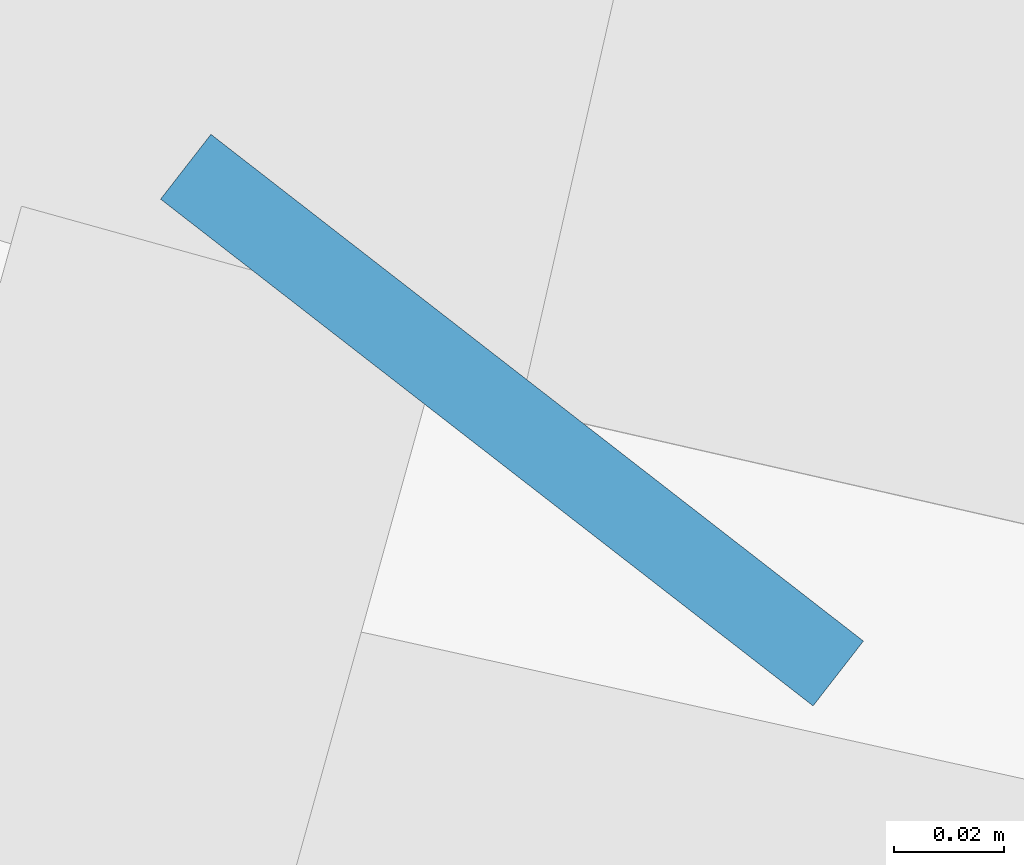
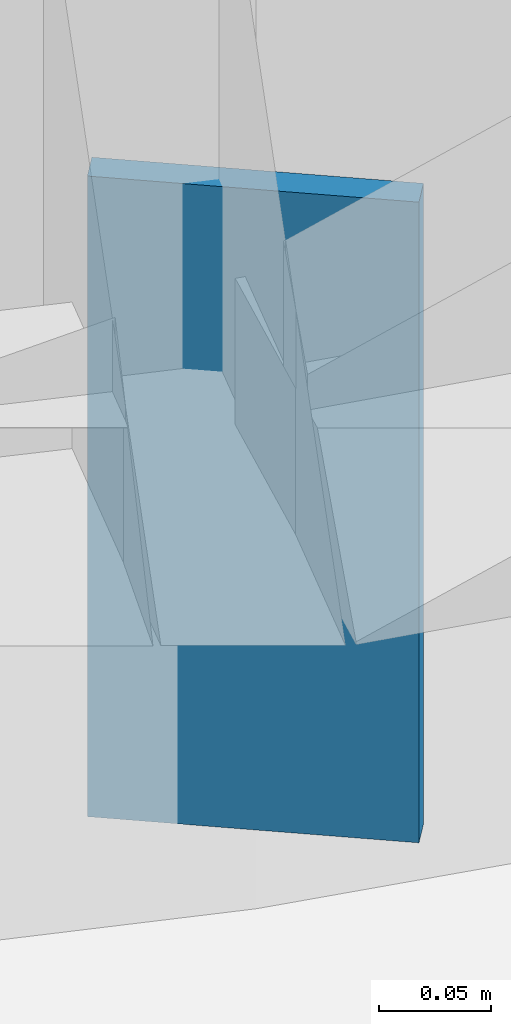
# One storey, part 18 of 29: 1 discrete accessory.
"""IFC4 building model written with IfcOpenShell, lengths in metres."""

from ifc_helpers import new_model, si_unit, direction, frame, origin, origin_2d, place, context, subcontext, project, spatial, rectangle, extrude, material, type_object, element, save


model = new_model("IFC4")

# Units and contexts
model_context = context("Model", 3, precision=1e-05, world=origin(), true_north=direction((0.0, 1.0)))
body_context = subcontext(model_context, "Body", "Model", "MODEL_VIEW")
ifc_project = project(units=[si_unit("LENGTHUNIT", "METRE"), si_unit("AREAUNIT", "SQUARE_METRE"), si_unit("VOLUMEUNIT", "CUBIC_METRE"), si_unit("PLANEANGLEUNIT", "RADIAN"), si_unit("MASSUNIT", "GRAM", prefix="KILO")], contexts=[model_context])

# Site, building, storey
site_placement = place(None, origin())
site = spatial("IfcSite", under=ifc_project, at=site_placement, CompositionType="ELEMENT")
building_placement = place(site_placement, origin())
building = spatial("IfcBuilding", under=site, at=building_placement, Name="Ghaith Harvest Tower", CompositionType="ELEMENT")
storey_placement = place(building_placement, origin())
storey = spatial("IfcBuildingStorey", under=building, at=storey_placement, Name="L00", CompositionType="ELEMENT", Elevation=0.0)

# Discrete accessory
ifc_material = material(Name="Stainless steel grade 1.4401", Category="steel")
discrete_accessory_type = type_object("IfcDiscreteAccessoryType", Name="CURTAIN WALL BRACKET 15", PredefinedType="BRACKET", material=ifc_material)
discrete_accessory_placement = place(storey_placement, frame((-21.125244140625, -27.201171875, -0.25), z_axis=(0.0, 0.0, 1.0), x_axis=(-0.613377713774, -0.789789706343, 0.0)))
element("IfcDiscreteAccessory", 1, at=discrete_accessory_placement, inside=storey, type_object=discrete_accessory_type, Name="CW-P bracket 1 bay 14 L00", PredefinedType="BRACKET", context=body_context, shape_type="SweptSolid", body=[
    extrude(rectangle(XDim=0.014892578125, YDim=0.14990234375, at=origin_2d()), origin(), (0.0, 0.0, 1.0), 0.35009765625),
])

save(model, "model.ifc")
